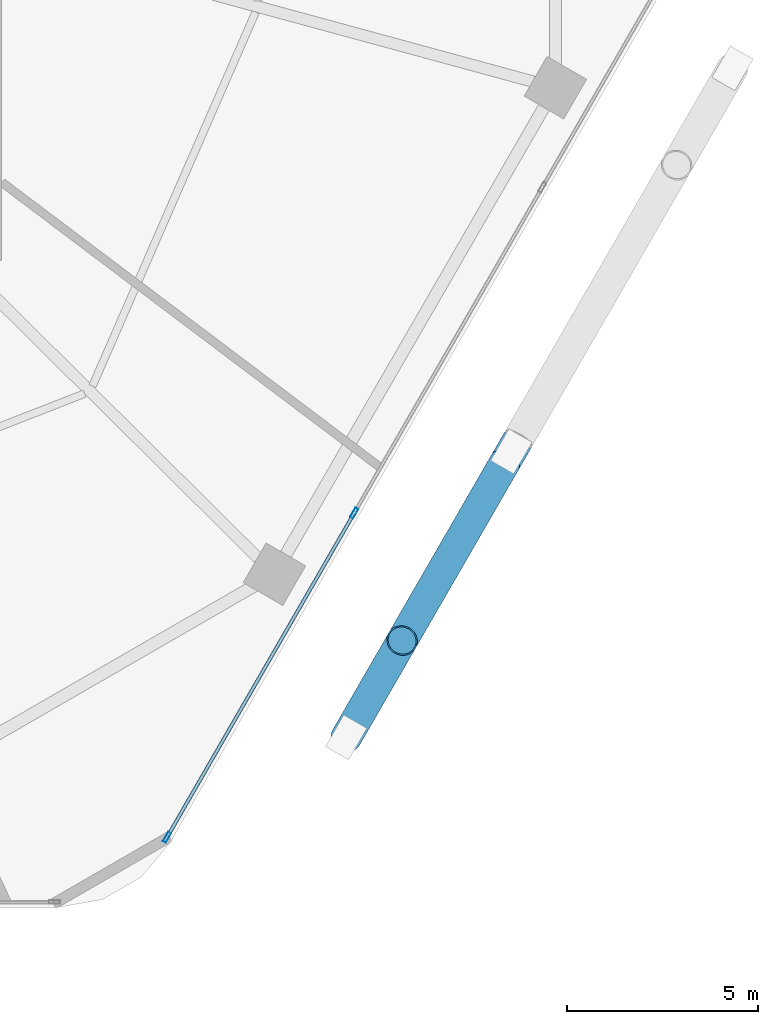
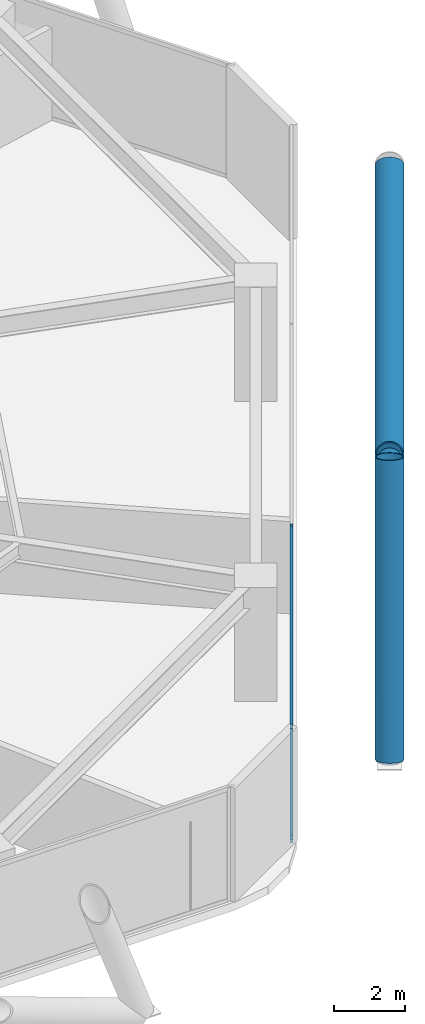
# One storey, part 9 of 29: 7 members, 1 element without a shape of its own.
"""IFC4 building model written with IfcOpenShell, lengths in metres."""

import ifcopenshell
import ifcopenshell.guid

model = None  # the IFC model being written
_history = None  # IfcOwnerHistory: only IFC2X3 demands one
_inside = {}  # id of a spatial element -> (the spatial element, [elements in it])
_under = {}  # id of a project, library or spatial element -> (it, [spatial elements below it])
_declared = {}  # id of a project -> (the project, [libraries it declares])
_typed = {}  # id of a type object -> (the type object, [elements of that type])
_made_of = {}  # id of a material, layer set ... -> (it, [elements and type objects made of it])


def new_model(schema):
    """Start an empty IFC model of exactly this schema.

    Asked for "IFC4X3", IfcOpenShell would pick the latest addendum, in which some entities
    have other attributes; the version numbers below select the first issue.
    IFC2X3 requires an IfcOwnerHistory on every rooted entity: one is made here for all.
    """
    global model, _history
    if schema == "IFC4X3":
        model = ifcopenshell.file(schema_version=(4, 3, 0, 0))
    else:
        model = ifcopenshell.file(schema=schema)
    _inside.clear()
    _under.clear()
    _declared.clear()
    _typed.clear()
    _made_of.clear()
    _history = None
    if model.schema == "IFC2X3":
        org = make("IfcOrganization", Name="unknown")
        user = make(
            "IfcPersonAndOrganization",
            ThePerson=make("IfcPerson", FamilyName="unknown"),
            TheOrganization=org,
        )
        app = make(
            "IfcApplication",
            ApplicationDeveloper=org,
            Version="unknown",
            ApplicationFullName="unknown",
            ApplicationIdentifier="unknown",
        )
        _history = make(
            "IfcOwnerHistory",
            OwningUser=user,
            OwningApplication=app,
            ChangeAction="ADDED",
            CreationDate=0,
        )
    return model


def make(cls, **values):
    """One entity of the class cls with the attributes given. An attribute that is None is left unset."""
    return model.create_entity(
        cls, **{name: value for name, value in values.items() if value is not None}
    )


def rooted(cls, **values):
    """An entity with a GlobalId (a new one), such as an element, a storey or a relation."""
    return make(cls, GlobalId=ifcopenshell.guid.new(), OwnerHistory=_history, **values)


def si_unit(unit_type, name, prefix=None):
    """IfcSIUnit, for example si_unit("LENGTHUNIT", "METRE", prefix="MILLI")."""
    return make("IfcSIUnit", UnitType=unit_type, Prefix=prefix, Name=name)


def assignment(units):
    """IfcUnitAssignment: the units of a project."""
    return None if units is None else make("IfcUnitAssignment", Units=units)


def point(xyz):
    """IfcCartesianPoint."""
    return None if xyz is None else make("IfcCartesianPoint", Coordinates=xyz)


def direction(xyz):
    """IfcDirection."""
    return None if xyz is None else make("IfcDirection", DirectionRatios=xyz)


def frame(location, z_axis=None, x_axis=None):
    """IfcAxis2Placement3D, a coordinate frame: its origin and axes. An axis left out is left unset."""
    return make(
        "IfcAxis2Placement3D",
        Location=point(location),
        Axis=direction(z_axis),
        RefDirection=direction(x_axis),
    )


def frame_2d(location, x_axis=None):
    """IfcAxis2Placement2D, a coordinate frame in the plane: its origin and x axis."""
    return make(
        "IfcAxis2Placement2D", Location=point(location), RefDirection=direction(x_axis)
    )


def origin():
    """The frame at (0, 0, 0) with its axes left unset."""
    return frame((0.0, 0.0, 0.0))


def origin_2d():
    """The frame at (0, 0) in the plane with its x axis left unset."""
    return frame_2d((0.0, 0.0))


def place(relative_to, where):
    """IfcLocalPlacement: puts the frame where relative to a parent placement (None: the world)."""
    return make(
        "IfcLocalPlacement", PlacementRelTo=relative_to, RelativePlacement=where
    )


def context(
    kind, dimensions, precision=None, world=None, true_north=None, identifier=None
):
    """IfcGeometricRepresentationContext, for example the 3D "Model" context."""
    return make(
        "IfcGeometricRepresentationContext",
        ContextIdentifier=identifier,
        ContextType=kind,
        CoordinateSpaceDimension=dimensions,
        Precision=precision,
        WorldCoordinateSystem=world,
        TrueNorth=true_north,
    )


def subcontext(parent, identifier, kind, view, scale=None):
    """IfcGeometricRepresentationSubContext, for example "Body" below "Model"."""
    return make(
        "IfcGeometricRepresentationSubContext",
        ContextIdentifier=identifier,
        ContextType=kind,
        ParentContext=parent,
        TargetScale=scale,
        TargetView=view,
    )


def project(units=None, contexts=None):
    """IfcProject with its units and contexts."""
    return rooted(
        "IfcProject",
        Name="project",
        RepresentationContexts=contexts,
        UnitsInContext=assignment(units),
    )


def spatial(cls, under=None, at=None, **own):
    """A site, building, storey or space (cls), placed at a placement, below another one or the project."""
    s = rooted(cls, ObjectPlacement=at, **own)
    if under is not None:
        _under.setdefault(under.id(), (under, []))[1].append(s)
    return s


def profile(cls, at=None, kind="AREA", **sizes):
    """A parametric profile (cls). Its sizes go by their IFC names, for example OverallWidth=200.0."""
    return make(cls, ProfileType=kind, Position=at, **sizes)


def hollow_rectangle(**sizes):
    """IfcRectangleHollowProfileDef."""
    return profile("IfcRectangleHollowProfileDef", **sizes)


def hollow_circle(**sizes):
    """IfcCircleHollowProfileDef."""
    return profile("IfcCircleHollowProfileDef", **sizes)


def extrude(swept, where, along, depth):
    """IfcExtrudedAreaSolid: the profile swept, set in the frame where, extruded along a direction by depth."""
    return make(
        "IfcExtrudedAreaSolid",
        SweptArea=swept,
        Position=where,
        ExtrudedDirection=direction(along),
        Depth=depth,
    )


def shape(context_of_items, identifier, shape_type, items):
    """IfcShapeRepresentation: the items that make up one representation, for example the "Body"."""
    return make(
        "IfcShapeRepresentation",
        ContextOfItems=context_of_items,
        RepresentationIdentifier=identifier,
        RepresentationType=shape_type,
        Items=items,
    )


def material(Name=None, Category=None):
    """IfcMaterial."""
    return make("IfcMaterial", Name=Name, Category=Category)


def material_profile(
    of_material, cross_section, Name=None, Category=None, Priority=None
):
    """IfcMaterialProfile: a cross section and its material."""
    return make(
        "IfcMaterialProfile",
        Name=Name,
        Material=of_material,
        Profile=cross_section,
        Priority=Priority,
        Category=Category,
    )


def profile_set(profiles, Name=None, composite=None):
    """IfcMaterialProfileSet."""
    return make(
        "IfcMaterialProfileSet",
        Name=Name,
        MaterialProfiles=profiles,
        CompositeProfile=composite,
    )


def made_of(thing, what):
    """Note that an element or type object is made of a material, layer set ...; save() writes the relation."""
    if what is not None:
        _made_of.setdefault(what.id(), (what, []))[1].append(thing)
    return thing


def type_object(cls, material=None, **own):
    """A type object (cls), such as IfcWallType, which elements share."""
    return made_of(rooted(cls, **own), material)


def element(
    cls,
    number,
    at=None,
    inside=None,
    cuts=None,
    type_object=None,
    material=None,
    context=None,
    identifier="Body",
    shape_type=None,
    held_by="IfcProductDefinitionShape",
    body=None,
    shapes=None,
    **own,
):
    """One element of the class cls, such as IfcWall. Its Tag is "e" and its number.

    at: its placement. inside: the storey or other place that contains it. cuts: it is an
    opening in that element (IfcRelVoidsElement). A single representation is given by context,
    identifier, shape_type and body (its items); several are given by shapes. held_by: the class
    of the entity that holds the representations. save() writes the other relations.
    """
    e = rooted(cls, Tag="e%d" % number, ObjectPlacement=at, **own)
    if body is not None:
        shapes = [shape(context, identifier, shape_type, body)]
    if shapes is not None:
        e.Representation = make(held_by, Representations=shapes)
    if inside is not None:
        _inside.setdefault(inside.id(), (inside, []))[1].append(e)
    if cuts is not None:
        rooted(
            "IfcRelVoidsElement", RelatingBuildingElement=cuts, RelatedOpeningElement=e
        )
    if type_object is not None:
        _typed.setdefault(type_object.id(), (type_object, []))[1].append(e)
    return made_of(e, material)


def aggregate(whole, parts):
    """IfcRelAggregates: a whole, such as a stair, and the parts it consists of."""
    return rooted("IfcRelAggregates", RelatingObject=whole, RelatedObjects=parts)


def save(model, path):
    """Write the relations noted so far, then the file.

    IfcRelAggregates (storeys below a building ...), IfcRelContainedInSpatialStructure (elements
    in a storey), IfcRelDefinesByType, IfcRelAssociatesMaterial and IfcRelDeclares: one each for
    every whole, place, type object, material and project.
    """
    for whole, parts in _under.values():
        aggregate(whole, parts)
    for where, things in _inside.values():
        rooted(
            "IfcRelContainedInSpatialStructure",
            RelatedElements=things,
            RelatingStructure=where,
        )
    for kind, things in _typed.values():
        rooted("IfcRelDefinesByType", RelatedObjects=things, RelatingType=kind)
    for what, things in _made_of.values():
        rooted("IfcRelAssociatesMaterial", RelatedObjects=things, RelatingMaterial=what)
    for by, libraries in _declared.values():
        rooted("IfcRelDeclares", RelatingContext=by, RelatedDefinitions=libraries)
    model.write(path)


model = new_model("IFC4")

# Units and contexts
model_context = context("Model", 3, precision=1e-05, world=origin(), true_north=direction((0.0, 1.0)))
body_context = subcontext(model_context, "Body", "Model", "MODEL_VIEW")
ifc_project = project(units=[si_unit("LENGTHUNIT", "METRE"), si_unit("AREAUNIT", "SQUARE_METRE"), si_unit("VOLUMEUNIT", "CUBIC_METRE"), si_unit("PLANEANGLEUNIT", "RADIAN"), si_unit("MASSUNIT", "GRAM", prefix="KILO")], contexts=[model_context])

# Site, building, storey
site_placement = place(None, origin())
site = spatial("IfcSite", under=ifc_project, at=site_placement, CompositionType="ELEMENT")
building_placement = place(site_placement, origin())
building = spatial("IfcBuilding", under=site, at=building_placement, Name="Zuhravey Tower", CompositionType="ELEMENT")
storey_placement = place(building_placement, frame((0.0, 0.0, 41.39990234375)))
storey = spatial("IfcBuildingStorey", under=building, at=storey_placement, Name="L10", CompositionType="ELEMENT", Elevation=41.39990234375)

# Curtain wall, members
ifc_material_1 = material(Name="Thermally broken anodised aluminium", Category="aluminium")
curtain_wall_type = type_object("IfcCurtainWallType", Name="School Low-E Unitised Curtain Wall CW1", PredefinedType="NOTDEFINED", material=ifc_material_1)
curtain_wall_placement = place(storey_placement, origin())
curtain_wall = element("IfcCurtainWall", 1, at=curtain_wall_placement, inside=storey, type_object=curtain_wall_type, Name="L10 CW1 CW-L10-F6-1", PredefinedType="NOTDEFINED")
ifc_material_2 = material(Name="Anodised aluminium", Category="aluminium")
ifc_material_profile_1 = material_profile(ifc_material_2, hollow_rectangle(XDim=0.090087890625, YDim=0.284912109375, WallThickness=0.0048828125, at=origin_2d()), Name="ALU-RHS-90x285x5")
ifc_profile_set_1 = profile_set([ifc_material_profile_1], Name="Anodised aluminium")
member_type_1 = type_object("IfcMemberType", Name="Curtain-Wall Mullion 90x180", PredefinedType="MULLION", material=ifc_profile_set_1)
member_1_placement = place(storey_placement, frame((58.612060546875, 13.24853515625, 0.0), z_axis=(0.0, 0.0, 1.0), x_axis=(0.86602552265, -0.499999794119, 0.0)))
member_1 = element("IfcMember", 2, at=member_1_placement, type_object=member_type_1, Name="CW1 mullion 3", PredefinedType="MULLION", context=body_context, shape_type="SweptSolid", body=[
    extrude(hollow_rectangle(XDim=0.090087890625, YDim=0.284912109375, WallThickness=0.0048828125, at=origin_2d()), origin(), (0.0, 0.0, 1.0), 3.920166015625),
])
member_2_placement = place(storey_placement, frame((53.701416015625, 4.742919921875, 0.0), z_axis=(0.0, 0.0, 1.0), x_axis=(0.86602552265, -0.499999794119, 0.0)))
member_2 = element("IfcMember", 3, at=member_2_placement, type_object=member_type_1, Name="CW1 mullion 4", PredefinedType="MULLION", context=body_context, shape_type="SweptSolid", body=[
    extrude(hollow_rectangle(XDim=0.090087890625, YDim=0.284912109375, WallThickness=0.0048828125, at=origin_2d()), origin(), (0.0, 0.0, 1.0), 3.920166015625),
])
ifc_material_profile_2 = material_profile(ifc_material_2, hollow_rectangle(XDim=0.090087890625, YDim=0.14990234375, WallThickness=0.0048828125, at=origin_2d()), Name="ALU-RHS-90x150x5")
ifc_profile_set_2 = profile_set([ifc_material_profile_2], Name="Anodised aluminium")
member_type_2 = type_object("IfcMemberType", Name="Curtain-Wall Transom 90x150", PredefinedType="USERDEFINED", material=ifc_profile_set_2)
member_3_placement = place(storey_placement, frame((58.589599609375, 13.20947265625, 0.045166015625), z_axis=(-0.499989576763, -0.86603142156, 0.0), x_axis=(0.86603142156, -0.499989576763, 0.0)))
member_3 = element("IfcMember", 4, at=member_3_placement, type_object=member_type_2, Name="CW1 transom 3.1", ObjectType="TRANSOM", PredefinedType="USERDEFINED", context=body_context, shape_type="SweptSolid", body=[
    extrude(hollow_rectangle(XDim=0.090087890625, YDim=0.14990234375, WallThickness=0.0048828125, at=origin_2d()), origin(), (0.0, 0.0, 1.0), 9.731201171875),
])
member_4_placement = place(storey_placement, frame((58.589599609375, 13.20947265625, 3.875), z_axis=(-0.499989576763, -0.86603142156, 0.0), x_axis=(0.86603142156, -0.499989576763, 0.0)))
member_4 = element("IfcMember", 5, at=member_4_placement, type_object=member_type_2, Name="CW1 transom 3.2", ObjectType="TRANSOM", PredefinedType="USERDEFINED", context=body_context, shape_type="SweptSolid", body=[
    extrude(hollow_rectangle(XDim=0.090087890625, YDim=0.14990234375, WallThickness=0.0048828125, at=origin_2d()), origin(), (0.0, 0.0, 1.0), 9.731201171875),
])
aggregate(curtain_wall, [member_1, member_2, member_3, member_4])

# Members
ifc_material_3 = material(Name="Steel SM460", Category="steel")
ifc_material_profile_3 = material_profile(ifc_material_3, hollow_circle(Radius=0.406494140625, WallThickness=0.035888671875, at=origin_2d()), Name="CHS-812.8x36")
ifc_profile_set_3 = profile_set([ifc_material_profile_3], Name="Steel SM460")
member_type_3 = type_object("IfcMemberType", Name="Exoskeleton Zone 1 Diagrid CHS813x36", PredefinedType="BRACE", material=ifc_profile_set_3)
member_5_placement = place(storey_placement, frame((58.404541015625, 7.36865234375, -0.471923828125), z_axis=(0.165307317227, 0.286358046605, 0.943754501984), x_axis=(-0.866053660865, 0.499951054106, 0.0)))
element("IfcMember", 6, at=member_5_placement, inside=storey, type_object=member_type_3, Name="L10 Face 6 Diagrid Brace 1", PredefinedType="BRACE", context=body_context, shape_type="SweptSolid", body=[
    extrude(hollow_circle(Radius=0.406494140625, WallThickness=0.035888671875, at=origin_2d()), origin(), (0.0, 0.0, 1.0), 8.85400390625),
])
member_6_placement = place(storey_placement, frame((58.42333984375, 7.4013671875, -0.471923828125), z_axis=(0.449932637588, 0.779312332372, 0.436156978902), x_axis=(-0.866027110715, 0.499997043497, 0.0)))
element("IfcMember", 7, at=member_6_placement, inside=storey, type_object=member_type_3, Name="L10 Face 6 Diagrid Brace 2", PredefinedType="BRACE", context=body_context, shape_type="SweptSolid", body=[
    extrude(hollow_circle(Radius=0.406494140625, WallThickness=0.035888671875, at=origin_2d()), origin(), (0.0, 0.0, 1.0), 19.158203125),
])
member_7_placement = place(storey_placement, frame((62.573486328125, 14.589599609375, 3.940673828125), z_axis=(-0.403092056741, -0.69816190232, 0.59168129254), x_axis=(0.866021056018, -0.500007530476, 0.0)))
element("IfcMember", 8, at=member_7_placement, inside=storey, type_object=member_type_3, Name="L10 Face 6 Split Diagrid Brace 3B", PredefinedType="BRACE", context=body_context, shape_type="SweptSolid", body=[
    extrude(hollow_circle(Radius=0.406494140625, WallThickness=0.035888671875, at=origin_2d()), origin(), (0.0, 0.0, 1.0), 6.6513671875),
])

save(model, "model.ifc")
